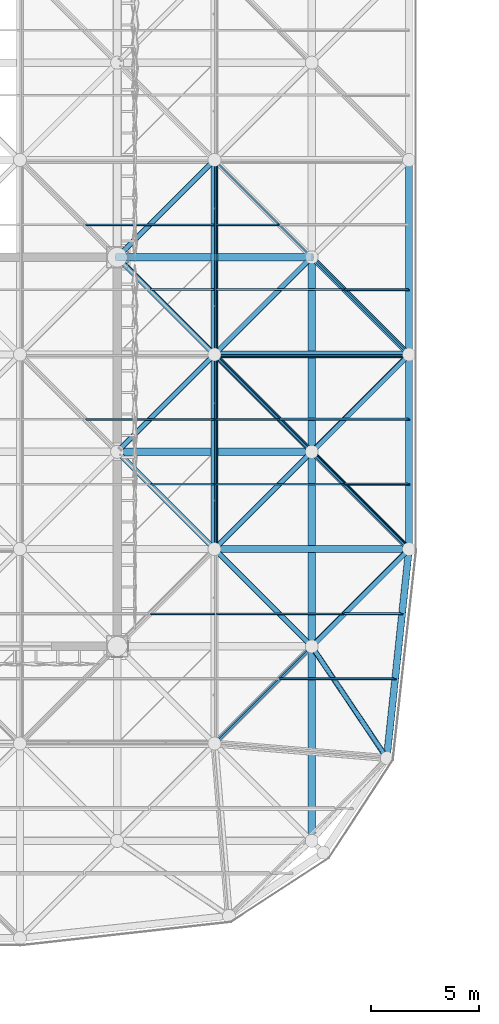
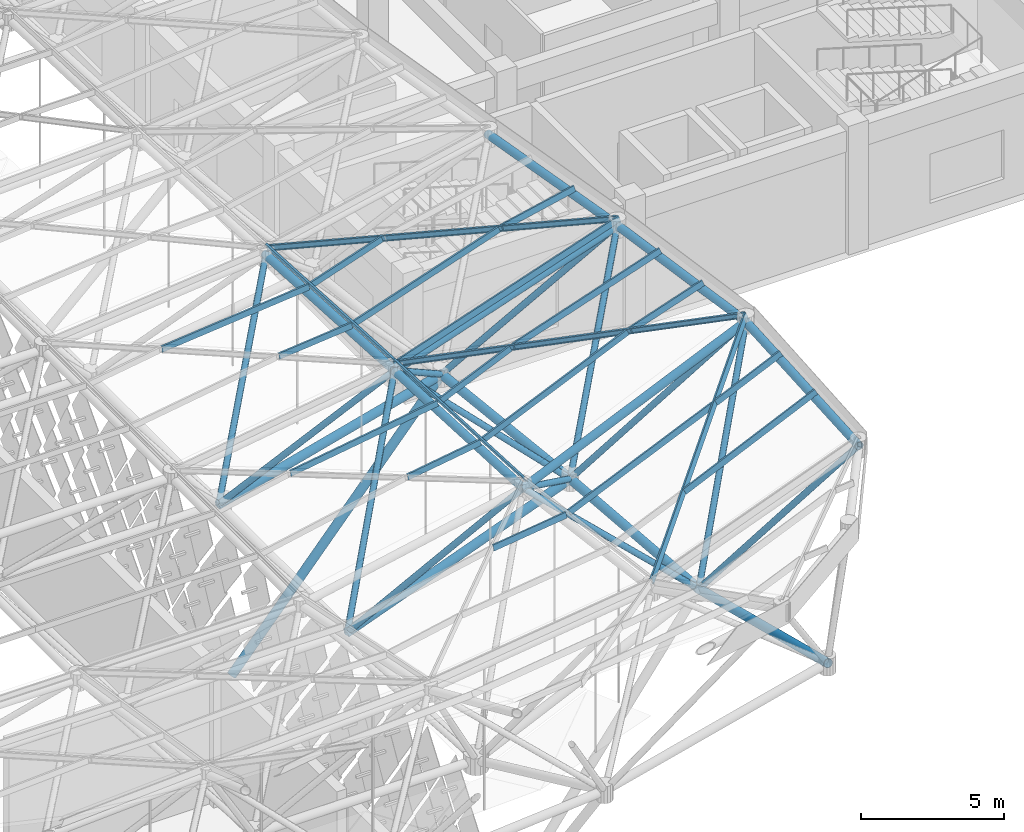
# One storey, part 196 of 437: 47 members.
"""IFC4 building model written with IfcOpenShell, lengths in metres."""

from ifc_helpers import new_model, si_unit, direction, frame, origin, origin_2d, place, context, subcontext, project, spatial, polyline, hollow_circle, outline, extrude, material, material_profile, profile_set, type_object, element, save


model = new_model("IFC4")

# Units and contexts
model_context = context("Model", 3, precision=1e-05, world=origin(), true_north=direction((0.0, 1.0)))
body_context = subcontext(model_context, "Body", "Model", "MODEL_VIEW")
ifc_project = project(units=[si_unit("LENGTHUNIT", "METRE"), si_unit("AREAUNIT", "SQUARE_METRE"), si_unit("VOLUMEUNIT", "CUBIC_METRE"), si_unit("PLANEANGLEUNIT", "RADIAN"), si_unit("MASSUNIT", "GRAM", prefix="KILO")], contexts=[model_context])

# Site, building, storey
site_placement = place(None, origin())
site = spatial("IfcSite", under=ifc_project, at=site_placement, CompositionType="ELEMENT")
building_placement = place(site_placement, origin())
building = spatial("IfcBuilding", under=site, at=building_placement, Name="Opaline Strait Convention Centre", CompositionType="ELEMENT")
storey_placement = place(building_placement, frame((0.0, 0.0, 11.5)))
storey = spatial("IfcBuildingStorey", under=building, at=storey_placement, Name="L02", CompositionType="ELEMENT", Elevation=11.5)

# Members
ifc_material = material(Name="Steel Q355B", Category="steel")
ifc_material_profile_1 = material_profile(ifc_material, hollow_circle(Radius=0.175537109375, WallThickness=0.01611328125, at=origin_2d()), Name="CHS 351x16")
ifc_profile_set_1 = profile_set([ifc_material_profile_1], Name="Steel Q355B")
member_type_1 = type_object("IfcMemberType", Name="Raking prop CHS 351x16", PredefinedType="BRACE", material=ifc_profile_set_1)
member_1_placement = place(storey_placement, frame((261.51611328125, 72.0, 5.0185546875), z_axis=(0.651001904669, 0.0, 0.759076096394), x_axis=(0.0, 1.0, 0.0)))
element("IfcMember", 1, at=member_1_placement, inside=storey, type_object=member_type_1, Name="Raking prop 261/72 E", PredefinedType="BRACE", context=body_context, shape_type="SweptSolid", body=[
    extrude(hollow_circle(Radius=0.175537109375, WallThickness=0.01611328125, at=origin_2d()), origin(), (0.0, 0.0, 1.0), 13.08203125),
])
ifc_material_profile_2 = material_profile(ifc_material, outline(polyline([(-0.03759765625, -0.125), (0.03759765625, -0.125), (0.03759765625, -0.10498046875), (0.034912109375, -0.10498046875), (0.034912109375, -0.12255859375), (-0.034912109375, -0.12255859375), (-0.034912109375, 0.12255859375), (0.034912109375, 0.12255859375), (0.034912109375, 0.10498046875), (0.03759765625, 0.10498046875), (0.03759765625, 0.125), (-0.03759765625, 0.125), (-0.03759765625, -0.125)])), Name="C 250x75x20x2.5")
ifc_profile_set_2 = profile_set([ifc_material_profile_2], Name="Steel Q355B")
member_type_2 = type_object("IfcMemberType", Name="Roof purlin C 250x75x20x2.5", PredefinedType="PURLIN", material=ifc_profile_set_2)
member_2_placement = place(storey_placement, frame((262.550048828125, 55.5, 20.102783203125), z_axis=(0.991632414904, 0.0, 0.12909358509), x_axis=(0.01666533867, 0.991632228384, -0.12801480429)))
element("IfcMember", 2, at=member_2_placement, inside=storey, type_object=member_type_2, Name="EXB-RF-P-19-1-1a", PredefinedType="PURLIN", context=body_context, shape_type="SweptSolid", body=[
    extrude(outline(polyline([(-0.03759765625, -0.125), (0.03759765625, -0.125), (0.03759765625, -0.10498046875), (0.034912109375, -0.10498046875), (0.034912109375, -0.12255859375), (-0.034912109375, -0.12255859375), (-0.034912109375, 0.12255859375), (0.034912109375, 0.12255859375), (0.034912109375, 0.10498046875), (0.03759765625, 0.10498046875), (0.03759765625, 0.125), (-0.03759765625, 0.125), (-0.03759765625, -0.125)])), origin(), (0.0, 0.0, 1.0), 2.974853515625),
])
member_3_placement = place(storey_placement, frame((265.5, 49.5, 21.278564453125), z_axis=(0.690740022732, 0.690740022732, 0.213907554783), x_axis=(-0.602521591585, 0.713355387204, -0.357899180246)))
element("IfcMember", 3, at=member_3_placement, inside=storey, type_object=member_type_2, Name="EXB-RF-F-20-1", PredefinedType="PURLIN", context=body_context, shape_type="SweptSolid", body=[
    extrude(outline(polyline([(-0.03759765625, -0.125), (0.03759765625, -0.125), (0.03759765625, -0.10498046875), (0.034912109375, -0.10498046875), (0.034912109375, -0.12255859375), (-0.034912109375, -0.12255859375), (-0.034912109375, 0.12255859375), (0.034912109375, 0.12255859375), (0.034912109375, 0.10498046875), (0.03759765625, 0.10498046875), (0.03759765625, 0.125), (-0.03759765625, 0.125), (-0.03759765625, -0.125)])), origin(), (0.0, 0.0, 1.0), 13.029541015625),
])
member_4_placement = place(storey_placement, frame((268.550048828125, 52.5, 22.230712890625), z_axis=(0.91042951865, 0.0, 0.413664225635), x_axis=(0.059241297029, 0.989692168796, -0.130383586967)))
element("IfcMember", 4, at=member_4_placement, inside=storey, type_object=member_type_2, Name="EXB-RF-P-20-1-0a", PredefinedType="PURLIN", context=body_context, shape_type="SweptSolid", body=[
    extrude(outline(polyline([(-0.03759765625, -0.125), (0.03759765625, -0.125), (0.03759765625, -0.10498046875), (0.034912109375, -0.10498046875), (0.034912109375, -0.12255859375), (-0.034912109375, -0.12255859375), (-0.034912109375, 0.12255859375), (0.034912109375, 0.12255859375), (0.034912109375, 0.10498046875), (0.03759765625, 0.10498046875), (0.03759765625, 0.125), (-0.03759765625, 0.125), (-0.03759765625, -0.125)])), origin(), (0.0, 0.0, 1.0), 5.834716796875),
])
member_5_placement = place(storey_placement, frame((271.550048828125, 55.5, 23.15966796875), z_axis=(0.910418545684, 0.0, 0.413688375078), x_axis=(0.059244755496, 0.989692168796, -0.130382015517)))
element("IfcMember", 5, at=member_5_placement, inside=storey, type_object=member_type_2, Name="EXB-RF-P-20-1-1a", PredefinedType="PURLIN", context=body_context, shape_type="SweptSolid", body=[
    extrude(outline(polyline([(-0.03759765625, -0.125), (0.03759765625, -0.125), (0.03759765625, -0.10498046875), (0.034912109375, -0.10498046875), (0.034912109375, -0.12255859375), (-0.034912109375, -0.12255859375), (-0.034912109375, 0.12255859375), (0.034912109375, 0.12255859375), (0.034912109375, 0.10498046875), (0.03759765625, 0.10498046875), (0.03759765625, 0.125), (-0.03759765625, 0.125), (-0.03759765625, -0.125)])), origin(), (0.0, 0.0, 1.0), 2.889892578125),
])
member_6_placement = place(storey_placement, frame((265.62255859375, 55.5, 20.55078125), z_axis=(0.915348391742, 0.0, 0.402662789111), x_axis=(0.051981759943, 0.991632228384, -0.118166916959)))
element("IfcMember", 6, at=member_6_placement, inside=storey, type_object=member_type_2, Name="EXB-RF-P-20-1-1b", PredefinedType="PURLIN", context=body_context, shape_type="SweptSolid", body=[
    extrude(outline(polyline([(-0.03759765625, -0.125), (0.03759765625, -0.125), (0.03759765625, -0.10498046875), (0.034912109375, -0.10498046875), (0.034912109375, -0.12255859375), (-0.034912109375, -0.12255859375), (-0.034912109375, 0.12255859375), (0.034912109375, 0.12255859375), (0.034912109375, 0.10498046875), (0.03759765625, 0.10498046875), (0.03759765625, 0.125), (-0.03759765625, 0.125), (-0.03759765625, -0.125)])), origin(), (0.0, 0.0, 1.0), 6.3662109375),
])
member_7_placement = place(storey_placement, frame((262.550048828125, 61.5, 19.491455078125), z_axis=(0.988086366005, 0.0, 0.153900400631), x_axis=(0.00745387809, 0.998826427329, -0.047856115284)))
element("IfcMember", 7, at=member_7_placement, inside=storey, type_object=member_type_2, Name="EXB-RF-P-19-2-0a", PredefinedType="PURLIN", context=body_context, shape_type="SweptSolid", body=[
    extrude(outline(polyline([(-0.03759765625, -0.125), (0.03759765625, -0.125), (0.03759765625, -0.10498046875), (0.034912109375, -0.10498046875), (0.034912109375, -0.12255859375), (-0.034912109375, -0.12255859375), (-0.034912109375, 0.12255859375), (0.034912109375, 0.12255859375), (0.034912109375, 0.10498046875), (0.03759765625, 0.10498046875), (0.03759765625, 0.125), (-0.03759765625, 0.125), (-0.03759765625, -0.125)])), origin(), (0.0, 0.0, 1.0), 2.985595703125),
])
member_8_placement = place(storey_placement, frame((259.550048828125, 64.5, 18.87890625), z_axis=(0.988092099011, 0.0, 0.153863588517), x_axis=(0.007452095164, 0.998826427329, -0.047856392952)))
element("IfcMember", 8, at=member_8_placement, inside=storey, type_object=member_type_2, Name="EXB-RF-P-19-2-1a", PredefinedType="PURLIN", context=body_context, shape_type="SweptSolid", body=[
    extrude(outline(polyline([(-0.03759765625, -0.125), (0.03759765625, -0.125), (0.03759765625, -0.10498046875), (0.034912109375, -0.10498046875), (0.034912109375, -0.12255859375), (-0.034912109375, -0.12255859375), (-0.034912109375, 0.12255859375), (0.034912109375, 0.12255859375), (0.034912109375, 0.10498046875), (0.03759765625, 0.10498046875), (0.03759765625, 0.125), (-0.03759765625, 0.125), (-0.03759765625, -0.125)])), origin(), (0.0, 0.0, 1.0), 6.021728515625),
])
member_9_placement = place(storey_placement, frame((274.5, 58.5, 24.06103515625), z_axis=(-0.66838117447, 0.66838117447, -0.326394257346), x_axis=(-0.672492106724, -0.730507071966, -0.118801448655)))
element("IfcMember", 9, at=member_9_placement, inside=storey, type_object=member_type_2, Name="EXB-RF-F-20-2", PredefinedType="PURLIN", context=body_context, shape_type="SweptSolid", body=[
    extrude(outline(polyline([(-0.03759765625, -0.125), (0.03759765625, -0.125), (0.03759765625, -0.10498046875), (0.034912109375, -0.10498046875), (0.034912109375, -0.12255859375), (-0.034912109375, -0.12255859375), (-0.034912109375, 0.12255859375), (0.034912109375, 0.12255859375), (0.034912109375, 0.10498046875), (0.03759765625, 0.10498046875), (0.03759765625, 0.125), (-0.03759765625, 0.125), (-0.03759765625, -0.125)])), origin(), (0.0, 0.0, 1.0), 13.46533203125),
])
member_10_placement = place(storey_placement, frame((265.449951171875, 67.443115234375, 19.657470703125), z_axis=(0.94707556838, 0.0, 0.321010697294), x_axis=(0.044974525914, 0.990136950451, -0.132688022709)))
element("IfcMember", 10, at=member_10_placement, inside=storey, type_object=member_type_2, Name="EXB-RF-E-20-2a", PredefinedType="PURLIN", context=body_context, shape_type="SweptSolid", body=[
    extrude(outline(polyline([(-0.03759765625, -0.125), (0.03759765625, -0.125), (0.03759765625, -0.10498046875), (0.034912109375, -0.10498046875), (0.034912109375, -0.12255859375), (-0.034912109375, -0.12255859375), (-0.034912109375, 0.12255859375), (0.034912109375, 0.12255859375), (0.034912109375, 0.10498046875), (0.03759765625, 0.10498046875), (0.03759765625, 0.125), (-0.03759765625, 0.125), (-0.03759765625, -0.125)])), origin(), (0.0, 0.0, 1.0), 9.608642578125),
])
member_11_placement = place(storey_placement, frame((271.550048828125, 61.5, 22.61279296875), z_axis=(0.947088093086, 0.0, 0.320973743374), x_axis=(0.047429088664, 0.989022311823, -0.139947662594)))
element("IfcMember", 11, at=member_11_placement, inside=storey, type_object=member_type_2, Name="EXB-RF-P-20-2-0a", PredefinedType="PURLIN", context=body_context, shape_type="SweptSolid", body=[
    extrude(outline(polyline([(-0.03759765625, -0.125), (0.03759765625, -0.125), (0.03759765625, -0.10498046875), (0.034912109375, -0.10498046875), (0.034912109375, -0.12255859375), (-0.034912109375, -0.12255859375), (-0.034912109375, 0.12255859375), (0.034912109375, 0.12255859375), (0.034912109375, 0.10498046875), (0.03759765625, 0.10498046875), (0.03759765625, 0.125), (-0.03759765625, 0.125), (-0.03759765625, -0.125)])), origin(), (0.0, 0.0, 1.0), 3.11474609375),
])
member_12_placement = place(storey_placement, frame((268.550048828125, 64.5, 21.147705078125), z_axis=(0.947070084803, 0.0, 0.321026874997), x_axis=(0.047436939725, 0.989022311823, -0.139945001577)))
element("IfcMember", 12, at=member_12_placement, inside=storey, type_object=member_type_2, Name="EXB-RF-P-20-2-1a", PredefinedType="PURLIN", context=body_context, shape_type="SweptSolid", body=[
    extrude(outline(polyline([(-0.03759765625, -0.125), (0.03759765625, -0.125), (0.03759765625, -0.10498046875), (0.034912109375, -0.10498046875), (0.034912109375, -0.12255859375), (-0.034912109375, -0.12255859375), (-0.034912109375, 0.12255859375), (0.034912109375, 0.12255859375), (0.034912109375, 0.10498046875), (0.03759765625, 0.10498046875), (0.03759765625, 0.125), (-0.03759765625, 0.125), (-0.03759765625, -0.125)])), origin(), (0.0, 0.0, 1.0), 6.282470703125),
])
member_13_placement = place(storey_placement, frame((265.58837890625, 67.550048828125, 19.70654296875), z_axis=(0.0, -0.99882696864, 0.048421965239), x_axis=(0.915532762336, 0.019477416429, 0.401771566115)))
element("IfcMember", 13, at=member_13_placement, inside=storey, type_object=member_type_2, Name="EXB-RF-E-20-2b", PredefinedType="PURLIN", context=body_context, shape_type="SweptSolid", body=[
    extrude(outline(polyline([(-0.03759765625, -0.125), (0.03759765625, -0.125), (0.03759765625, -0.10498046875), (0.034912109375, -0.10498046875), (0.034912109375, -0.12255859375), (-0.034912109375, -0.12255859375), (-0.034912109375, 0.12255859375), (0.034912109375, 0.12255859375), (0.034912109375, 0.10498046875), (0.03759765625, 0.10498046875), (0.03759765625, 0.125), (-0.03759765625, 0.125), (-0.03759765625, -0.125)])), origin(), (0.0, 0.0, 1.0), 9.11083984375),
])
member_14_placement = place(storey_placement, frame((265.622802734375, 61.5, 20.014892578125), z_axis=(0.915356308677, 0.0, 0.402644791554), x_axis=(0.01950134748, 0.998826427329, -0.044333570973)))
element("IfcMember", 14, at=member_14_placement, inside=storey, type_object=member_type_2, Name="EXB-RF-P-20-2-0b", PredefinedType="PURLIN", context=body_context, shape_type="SweptSolid", body=[
    extrude(outline(polyline([(-0.03759765625, -0.125), (0.03759765625, -0.125), (0.03759765625, -0.10498046875), (0.034912109375, -0.10498046875), (0.034912109375, -0.12255859375), (-0.034912109375, -0.12255859375), (-0.034912109375, 0.12255859375), (0.034912109375, 0.12255859375), (0.034912109375, 0.10498046875), (0.03759765625, 0.10498046875), (0.03759765625, 0.125), (-0.03759765625, 0.125), (-0.03759765625, -0.125)])), origin(), (0.0, 0.0, 1.0), 6.365966796875),
])
member_15_placement = place(storey_placement, frame((265.622802734375, 64.5, 19.869384765625), z_axis=(0.9153499956, 0.0, 0.402659143142), x_axis=(0.019502042572, 0.998826427329, -0.044333265211)))
element("IfcMember", 15, at=member_15_placement, inside=storey, type_object=member_type_2, Name="EXB-RF-P-20-2-1b", PredefinedType="PURLIN", context=body_context, shape_type="SweptSolid", body=[
    extrude(outline(polyline([(-0.03759765625, -0.125), (0.03759765625, -0.125), (0.03759765625, -0.10498046875), (0.034912109375, -0.10498046875), (0.034912109375, -0.12255859375), (-0.034912109375, -0.12255859375), (-0.034912109375, 0.12255859375), (0.034912109375, 0.12255859375), (0.034912109375, 0.10498046875), (0.03759765625, 0.10498046875), (0.03759765625, 0.125), (-0.03759765625, 0.125), (-0.03759765625, -0.125)])), origin(), (0.0, 0.0, 1.0), 3.088623046875),
])
member_16_placement = place(storey_placement, frame((262.550048828125, 70.5, 19.197021484375), z_axis=(0.995153115332, 0.0, 0.098337566805), x_axis=(0.005582570405, 0.99838731392, -0.056494303355)))
element("IfcMember", 16, at=member_16_placement, inside=storey, type_object=member_type_2, Name="EXB-RF-P-19-3-0a", PredefinedType="PURLIN", context=body_context, shape_type="SweptSolid", body=[
    extrude(outline(polyline([(-0.03759765625, -0.125), (0.03759765625, -0.125), (0.03759765625, -0.10498046875), (0.034912109375, -0.10498046875), (0.034912109375, -0.12255859375), (-0.034912109375, -0.12255859375), (-0.034912109375, 0.12255859375), (0.034912109375, 0.12255859375), (0.034912109375, 0.10498046875), (0.03759765625, 0.10498046875), (0.03759765625, 0.125), (-0.03759765625, 0.125), (-0.03759765625, -0.125)])), origin(), (0.0, 0.0, 1.0), 2.96435546875),
])
member_17_placement = place(storey_placement, frame((259.550048828125, 73.5, 18.729736328125), z_axis=(0.995150147401, 0.0, 0.098367596943), x_axis=(0.0055842752, 0.99838731392, -0.056494134867)))
element("IfcMember", 17, at=member_17_placement, inside=storey, type_object=member_type_2, Name="EXB-RF-P-19-3-1a", PredefinedType="PURLIN", context=body_context, shape_type="SweptSolid", body=[
    extrude(outline(polyline([(-0.03759765625, -0.125), (0.03759765625, -0.125), (0.03759765625, -0.10498046875), (0.034912109375, -0.10498046875), (0.034912109375, -0.12255859375), (-0.034912109375, -0.12255859375), (-0.034912109375, 0.12255859375), (0.034912109375, 0.12255859375), (0.034912109375, 0.10498046875), (0.03759765625, 0.10498046875), (0.03759765625, 0.125), (-0.03759765625, 0.125), (-0.03759765625, -0.125)])), origin(), (0.0, 0.0, 1.0), 5.97900390625),
])
member_18_placement = place(storey_placement, frame((274.5, 67.5, 22.71142578125), z_axis=(-0.680940085926, 0.680940085926, -0.26952031233), x_axis=(-0.701135867447, -0.712454070999, -0.028595316)))
element("IfcMember", 18, at=member_18_placement, inside=storey, type_object=member_type_2, Name="EXB-RF-F-20-3", PredefinedType="PURLIN", context=body_context, shape_type="SweptSolid", body=[
    extrude(outline(polyline([(-0.03759765625, -0.125), (0.03759765625, -0.125), (0.03759765625, -0.10498046875), (0.034912109375, -0.10498046875), (0.034912109375, -0.12255859375), (-0.034912109375, -0.12255859375), (-0.034912109375, 0.12255859375), (0.034912109375, 0.12255859375), (0.034912109375, 0.10498046875), (0.03759765625, 0.10498046875), (0.03759765625, 0.125), (-0.03759765625, 0.125), (-0.03759765625, -0.125)])), origin(), (0.0, 0.0, 1.0), 13.217041015625),
])
member_19_placement = place(storey_placement, frame((271.550048828125, 70.5, 21.5361328125), z_axis=(0.976699731106, 0.0, 0.214610426722), x_axis=(0.037218754753, 0.984847127184, -0.169383884626)))
element("IfcMember", 19, at=member_19_placement, inside=storey, type_object=member_type_2, Name="EXB-RF-P-20-3-0a", PredefinedType="PURLIN", context=body_context, shape_type="SweptSolid", body=[
    extrude(outline(polyline([(-0.03759765625, -0.125), (0.03759765625, -0.125), (0.03759765625, -0.10498046875), (0.034912109375, -0.10498046875), (0.034912109375, -0.12255859375), (-0.034912109375, -0.12255859375), (-0.034912109375, 0.12255859375), (0.034912109375, 0.12255859375), (0.034912109375, 0.10498046875), (0.03759765625, 0.10498046875), (0.03759765625, 0.125), (-0.03759765625, 0.125), (-0.03759765625, -0.125)])), origin(), (0.0, 0.0, 1.0), 3.020263671875),
])
member_20_placement = place(storey_placement, frame((265.578369140625, 76.550048828125, 19.177490234375), z_axis=(0.0, -0.998386467892, 0.056784335245), x_axis=(0.947231539522, 0.018202228232, 0.320032950527)))
element("IfcMember", 20, at=member_20_placement, inside=storey, type_object=member_type_2, Name="EXB-RF-E-20-3b", PredefinedType="PURLIN", context=body_context, shape_type="SweptSolid", body=[
    extrude(outline(polyline([(-0.03759765625, -0.125), (0.03759765625, -0.125), (0.03759765625, -0.10498046875), (0.034912109375, -0.10498046875), (0.034912109375, -0.12255859375), (-0.034912109375, -0.12255859375), (-0.034912109375, 0.12255859375), (0.034912109375, 0.12255859375), (0.034912109375, 0.10498046875), (0.03759765625, 0.10498046875), (0.03759765625, 0.125), (-0.03759765625, 0.125), (-0.03759765625, -0.125)])), origin(), (0.0, 0.0, 1.0), 9.11474609375),
])
member_21_placement = place(storey_placement, frame((265.613037109375, 70.5, 19.533203125), z_axis=(0.947082821832, 0.0, 0.320989296692), x_axis=(0.018222388517, 0.99838731392, -0.053765378829)))
element("IfcMember", 21, at=member_21_placement, inside=storey, type_object=member_type_2, Name="EXB-RF-P-20-3-0b", PredefinedType="PURLIN", context=body_context, shape_type="SweptSolid", body=[
    extrude(outline(polyline([(-0.03759765625, -0.125), (0.03759765625, -0.125), (0.03759765625, -0.10498046875), (0.034912109375, -0.10498046875), (0.034912109375, -0.12255859375), (-0.034912109375, -0.12255859375), (-0.034912109375, 0.12255859375), (0.034912109375, 0.12255859375), (0.034912109375, 0.10498046875), (0.03759765625, 0.10498046875), (0.03759765625, 0.125), (-0.03759765625, 0.125), (-0.03759765625, -0.125)])), origin(), (0.0, 0.0, 1.0), 6.1630859375),
])
member_22_placement = place(storey_placement, frame((265.613037109375, 73.5, 19.362548828125), z_axis=(0.947065459404, 0.0, 0.321040520189), x_axis=(0.018225296447, 0.99838731392, -0.053764393174)))
element("IfcMember", 22, at=member_22_placement, inside=storey, type_object=member_type_2, Name="EXB-RF-P-20-3-1b", PredefinedType="PURLIN", context=body_context, shape_type="SweptSolid", body=[
    extrude(outline(polyline([(-0.03759765625, -0.125), (0.03759765625, -0.125), (0.03759765625, -0.10498046875), (0.034912109375, -0.10498046875), (0.034912109375, -0.12255859375), (-0.034912109375, -0.12255859375), (-0.034912109375, 0.12255859375), (0.034912109375, 0.12255859375), (0.034912109375, 0.10498046875), (0.03759765625, 0.10498046875), (0.03759765625, 0.125), (-0.03759765625, 0.125), (-0.03759765625, -0.125)])), origin(), (0.0, 0.0, 1.0), 2.995361328125),
])
ifc_material_profile_3 = material_profile(ifc_material, hollow_circle(Radius=0.175537109375, WallThickness=0.01611328125, at=origin_2d()), Name="CHS 351x16")
ifc_profile_set_3 = profile_set([ifc_material_profile_3], Name="Steel Q355B")
member_type_3 = type_object("IfcMemberType", Name="Space frame bottom chord CHS 351x16", PredefinedType="CHORD", material=ifc_profile_set_3)
member_23_placement = place(storey_placement, frame((260.953125, 63.0, 12.482421875), z_axis=(0.935426145713, 0.0, 0.353522171746), x_axis=(0.0, 1.0, 0.0)))
element("IfcMember", 23, at=member_23_placement, inside=storey, type_object=member_type_3, Name="EXB-RF-BX-19-2", PredefinedType="CHORD", context=body_context, shape_type="SweptSolid", body=[
    extrude(hollow_circle(Radius=0.175537109375, WallThickness=0.01611328125, at=origin_2d()), origin(), (0.0, 0.0, 1.0), 9.721435546875),
])
member_24_placement = place(storey_placement, frame((260.95166015625, 72.0, 12.487060546875), z_axis=(0.965943886193, 0.0, 0.258751635215), x_axis=(0.0, 1.0, 0.0)))
element("IfcMember", 24, at=member_24_placement, inside=storey, type_object=member_type_3, Name="EXB-RF-BX-19-3", PredefinedType="CHORD", context=body_context, shape_type="SweptSolid", body=[
    extrude(hollow_circle(Radius=0.175537109375, WallThickness=0.01611328125, at=origin_2d()), origin(), (0.0, 0.0, 1.0), 9.41748046875),
])
member_25_placement = place(storey_placement, frame((270.0, 44.95166015625, 18.96435546875), z_axis=(0.0, 0.968974979118, -0.247158835253), x_axis=(-1.0, 0.0, 0.0)))
element("IfcMember", 25, at=member_25_placement, inside=storey, type_object=member_type_3, Name="EXB-RF-BY-20-0", PredefinedType="CHORD", context=body_context, shape_type="SweptSolid", body=[
    extrude(hollow_circle(Radius=0.175537109375, WallThickness=0.01611328125, at=origin_2d()), origin(), (0.0, 0.0, 1.0), 9.387939453125),
])
member_26_placement = place(storey_placement, frame((270.0, 53.9501953125, 16.66064453125), z_axis=(0.0, 0.996499137169, -0.083603047916), x_axis=(-1.0, 0.0, 0.0)))
element("IfcMember", 26, at=member_26_placement, inside=storey, type_object=member_type_3, Name="EXB-RF-BY-20-1", PredefinedType="CHORD", context=body_context, shape_type="SweptSolid", body=[
    extrude(hollow_circle(Radius=0.175537109375, WallThickness=0.01611328125, at=origin_2d()), origin(), (0.0, 0.0, 1.0), 9.131591796875),
])
member_27_placement = place(storey_placement, frame((270.0, 62.9501953125, 15.906982421875), z_axis=(0.0, 0.993995425291, -0.109421636348), x_axis=(-1.0, 0.0, 0.0)))
element("IfcMember", 27, at=member_27_placement, inside=storey, type_object=member_type_3, Name="EXB-RF-BY-20-2", PredefinedType="CHORD", context=body_context, shape_type="SweptSolid", body=[
    extrude(hollow_circle(Radius=0.175537109375, WallThickness=0.01611328125, at=origin_2d()), origin(), (0.0, 0.0, 1.0), 9.154541015625),
])
ifc_material_profile_4 = material_profile(ifc_material, hollow_circle(Radius=0.16259765625, WallThickness=0.013916015625, at=origin_2d()), Name="CHS 325x14")
ifc_profile_set_4 = profile_set([ifc_material_profile_4], Name="Steel Q355B")
member_type_4 = type_object("IfcMemberType", Name="Space frame top chord CHS 325x14", PredefinedType="CHORD", material=ifc_profile_set_4)
member_28_placement = place(storey_placement, frame((274.5, 58.450439453125, 23.775634765625), z_axis=(0.0, 0.989023771129, -0.147756489339), x_axis=(-1.0, 0.0, 0.0)))
element("IfcMember", 28, at=member_28_placement, inside=storey, type_object=member_type_4, Name="EXB-RF-TY-21-2", PredefinedType="CHORD", context=body_context, shape_type="SweptSolid", body=[
    extrude(hollow_circle(Radius=0.16259765625, WallThickness=0.013916015625, at=origin_2d()), origin(), (0.0, 0.0, 1.0), 9.2001953125),
])
ifc_material_profile_5 = material_profile(ifc_material, hollow_circle(Radius=0.16259765625, WallThickness=0.02001953125, at=origin_2d()), Name="CHS 325x20")
ifc_profile_set_5 = profile_set([ifc_material_profile_5], Name="Steel Q355B")
member_type_5 = type_object("IfcMemberType", Name="Space frame top chord CHS 325x20", PredefinedType="CHORD", material=ifc_profile_set_5)
member_29_placement = place(storey_placement, frame((265.454345703125, 58.5, 19.789306640625), z_axis=(0.915357797375, 0.0, 0.402641407192), x_axis=(0.0, 1.0, 0.0)))
element("IfcMember", 29, at=member_29_placement, inside=storey, type_object=member_type_5, Name="EXB-RF-TX-20-2", PredefinedType="CHORD", context=body_context, shape_type="SweptSolid", body=[
    extrude(hollow_circle(Radius=0.16259765625, WallThickness=0.02001953125, at=origin_2d()), origin(), (0.0, 0.0, 1.0), 9.931884765625),
])
member_30_placement = place(storey_placement, frame((265.45263671875, 67.5, 19.35693359375), z_axis=(0.947072036929, 0.0, 0.321021115921), x_axis=(0.0, 1.0, 0.0)))
element("IfcMember", 30, at=member_30_placement, inside=storey, type_object=member_type_5, Name="EXB-RF-TX-20-3", PredefinedType="CHORD", context=body_context, shape_type="SweptSolid", body=[
    extrude(hollow_circle(Radius=0.16259765625, WallThickness=0.02001953125, at=origin_2d()), origin(), (0.0, 0.0, 1.0), 9.60302734375),
])
member_31_placement = place(storey_placement, frame((265.5, 58.449951171875, 19.811767578125), z_axis=(0.0, 0.99882696864, -0.048421965239), x_axis=(-1.0, 0.0, 0.0)))
element("IfcMember", 31, at=member_31_placement, inside=storey, type_object=member_type_5, Name="EXB-RF-TY-20-2", PredefinedType="CHORD", context=body_context, shape_type="SweptSolid", body=[
    extrude(hollow_circle(Radius=0.16259765625, WallThickness=0.02001953125, at=origin_2d()), origin(), (0.0, 0.0, 1.0), 9.11083984375),
])
member_32_placement = place(storey_placement, frame((265.5, 67.4501953125, 19.375732421875), z_axis=(0.0, 0.998387813469, -0.056760672267), x_axis=(-1.0, 0.0, 0.0)))
element("IfcMember", 32, at=member_32_placement, inside=storey, type_object=member_type_5, Name="EXB-RF-TY-20-3", PredefinedType="CHORD", context=body_context, shape_type="SweptSolid", body=[
    extrude(hollow_circle(Radius=0.16259765625, WallThickness=0.02001953125, at=origin_2d()), origin(), (0.0, 0.0, 1.0), 9.1142578125),
])
member_33_placement = place(storey_placement, frame((273.467041015625, 48.7841796875, 24.704833984375), z_axis=(0.105249170228, 0.989856938619, -0.095424594498), x_axis=(-0.994394698376, 0.105731659596, 0.0)))
element("IfcMember", 33, at=member_33_placement, inside=storey, type_object=member_type_5, Name="EXB-RF-TY-21-1", PredefinedType="CHORD", context=body_context, shape_type="SweptSolid", body=[
    extrude(hollow_circle(Radius=0.16259765625, WallThickness=0.02001953125, at=origin_2d()), origin(), (0.0, 0.0, 1.0), 9.865478515625),
])
member_34_placement = place(storey_placement, frame((274.5, 67.45068359375, 22.43212890625), z_axis=(0.0, 0.984849995483, -0.17340843808), x_axis=(-1.0, 0.0, 0.0)))
element("IfcMember", 34, at=member_34_placement, inside=storey, type_object=member_type_5, Name="EXB-RF-TY-21-3", PredefinedType="CHORD", context=body_context, shape_type="SweptSolid", body=[
    extrude(hollow_circle(Radius=0.16259765625, WallThickness=0.02001953125, at=origin_2d()), origin(), (0.0, 0.0, 1.0), 9.238525390625),
])
ifc_material_profile_6 = material_profile(ifc_material, hollow_circle(Radius=0.12255859375, WallThickness=0.011962890625, at=origin_2d()), Name="CHS 245x12")
ifc_profile_set_6 = profile_set([ifc_material_profile_6], Name="Steel Q355B")
member_type_6 = type_object("IfcMemberType", Name="Space frame web CHS 245x12", PredefinedType="BRACE", material=ifc_profile_set_6)
member_35_placement = place(storey_placement, frame((265.523193359375, 58.476806640625, 19.84716796875), z_axis=(-0.464318393321, 0.464318393321, -0.754199482396), x_axis=(-0.707106781187, -0.707106781187, 0.0)))
element("IfcMember", 35, at=member_35_placement, inside=storey, type_object=member_type_6, Name="EXB-RF-W-19-2-10", PredefinedType="BRACE", context=body_context, shape_type="SweptSolid", body=[
    extrude(hollow_circle(Radius=0.12255859375, WallThickness=0.011962890625, at=origin_2d()), origin(), (0.0, 0.0, 1.0), 9.79150390625),
])
for number, where, z_axis, x_axis, name in (
    (36, (265.52392578125, 67.52392578125, 19.40966796875), (-0.480409370333, -0.480409370333, -0.733766770706), (0.707106781187, -0.707106781187, 0.0), "EXB-RF-W-19-2-11"),
    (37, (265.52392578125, 67.47607421875, 19.40966796875), (-0.480409370333, 0.480409370333, -0.733766770706), (-0.707106781187, -0.707106781187, 0.0), "EXB-RF-W-19-3-10"),
):
    element("IfcMember", number, at=place(storey_placement, frame(where, z_axis=z_axis, x_axis=x_axis)), inside=storey, type_object=member_type_6, Name=name, PredefinedType="BRACE", context=body_context, shape_type="SweptSolid", body=[
        extrude(hollow_circle(Radius=0.12255859375, WallThickness=0.011962890625, at=origin_2d()), origin(), (0.0, 0.0, 1.0), 9.466552734375),
    ])
member_36_placement = place(storey_placement, frame((265.52490234375, 76.52490234375, 18.896484375), z_axis=(-0.50009756062, -0.50009756062, -0.706968782708), x_axis=(0.707106781187, -0.707106781187, 0.0)))
element("IfcMember", 38, at=member_36_placement, inside=storey, type_object=member_type_6, Name="EXB-RF-W-19-3-11", PredefinedType="BRACE", context=body_context, shape_type="SweptSolid", body=[
    extrude(hollow_circle(Radius=0.12255859375, WallThickness=0.011962890625, at=origin_2d()), origin(), (0.0, 0.0, 1.0), 9.097900390625),
])
member_37_placement = place(storey_placement, frame((265.46826171875, 58.53173828125, 19.83154296875), z_axis=(0.63361366965, -0.63361366965, -0.443922780747), x_axis=(0.707106781187, 0.707106781187, 0.0)))
element("IfcMember", 39, at=member_37_placement, inside=storey, type_object=member_type_6, Name="EXB-RF-W-20-1-01", PredefinedType="BRACE", context=body_context, shape_type="SweptSolid", body=[
    extrude(hollow_circle(Radius=0.12255859375, WallThickness=0.011962890625, at=origin_2d()), origin(), (0.0, 0.0, 1.0), 7.202392578125),
])
member_38_placement = place(storey_placement, frame((273.489501953125, 48.808349609375, 24.739501953125), z_axis=(-0.341413165258, 0.507948056004, -0.790838683292), x_axis=(-0.829947049924, -0.557842176895, 0.0)))
element("IfcMember", 40, at=member_38_placement, inside=storey, type_object=member_type_6, Name="EXB-RF-W-20-1-10", PredefinedType="BRACE", context=body_context, shape_type="SweptSolid", body=[
    extrude(hollow_circle(Radius=0.12255859375, WallThickness=0.011962890625, at=origin_2d()), origin(), (0.0, 0.0, 1.0), 10.270751953125),
])
member_39_placement = place(storey_placement, frame((274.523681640625, 58.523681640625, 23.805419921875), z_axis=(-0.471540529524, -0.471540529524, -0.745183908866), x_axis=(0.707106781187, -0.707106781187, 0.0)))
element("IfcMember", 41, at=member_39_placement, inside=storey, type_object=member_type_6, Name="EXB-RF-W-20-1-11", PredefinedType="BRACE", context=body_context, shape_type="SweptSolid", body=[
    extrude(hollow_circle(Radius=0.12255859375, WallThickness=0.011962890625, at=origin_2d()), origin(), (0.0, 0.0, 1.0), 9.6435546875),
])
member_40_placement = place(storey_placement, frame((265.469970703125, 58.469970703125, 19.83544921875), z_axis=(0.60256121026, 0.60256121026, -0.523297215528), x_axis=(-0.707106781187, 0.707106781187, 0.0)))
element("IfcMember", 42, at=member_40_placement, inside=storey, type_object=member_type_6, Name="EXB-RF-W-20-2-00", PredefinedType="BRACE", context=body_context, shape_type="SweptSolid", body=[
    extrude(hollow_circle(Radius=0.12255859375, WallThickness=0.011962890625, at=origin_2d()), origin(), (0.0, 0.0, 1.0), 7.56787109375),
])
member_41_placement = place(storey_placement, frame((265.468994140625, 67.531005859375, 19.39697265625), z_axis=(0.620747928785, -0.620747928785, -0.478898755291), x_axis=(0.707106781187, 0.707106781187, 0.0)))
element("IfcMember", 43, at=member_41_placement, inside=storey, type_object=member_type_6, Name="EXB-RF-W-20-2-01", PredefinedType="BRACE", context=body_context, shape_type="SweptSolid", body=[
    extrude(hollow_circle(Radius=0.12255859375, WallThickness=0.011962890625, at=origin_2d()), origin(), (0.0, 0.0, 1.0), 7.34912109375),
])
member_42_placement = place(storey_placement, frame((274.522216796875, 58.477783203125, 23.80712890625), z_axis=(-0.444721060586, 0.444721060586, -0.777461482353), x_axis=(-0.707106781187, -0.707106781187, 0.0)))
element("IfcMember", 44, at=member_42_placement, inside=storey, type_object=member_type_6, Name="EXB-RF-W-20-2-10", PredefinedType="BRACE", context=body_context, shape_type="SweptSolid", body=[
    extrude(hollow_circle(Radius=0.12255859375, WallThickness=0.011962890625, at=origin_2d()), origin(), (0.0, 0.0, 1.0), 10.218505859375),
])
member_43_placement = place(storey_placement, frame((274.524658203125, 67.524658203125, 22.459228515625), z_axis=(-0.493829497226, -0.493829497226, -0.715726802167), x_axis=(0.707106781187, -0.707106781187, 0.0)))
element("IfcMember", 45, at=member_43_placement, inside=storey, type_object=member_type_6, Name="EXB-RF-W-20-2-11", PredefinedType="BRACE", context=body_context, shape_type="SweptSolid", body=[
    extrude(hollow_circle(Radius=0.12255859375, WallThickness=0.011962890625, at=origin_2d()), origin(), (0.0, 0.0, 1.0), 9.21240234375),
])
member_44_placement = place(storey_placement, frame((265.470947265625, 67.470947265625, 19.401611328125), z_axis=(0.578978904854, 0.578978904854, -0.574079136939), x_axis=(-0.707106781187, 0.707106781187, 0.0)))
element("IfcMember", 46, at=member_44_placement, inside=storey, type_object=member_type_6, Name="EXB-RF-W-20-3-00", PredefinedType="BRACE", context=body_context, shape_type="SweptSolid", body=[
    extrude(hollow_circle(Radius=0.12255859375, WallThickness=0.011962890625, at=origin_2d()), origin(), (0.0, 0.0, 1.0), 7.87255859375),
])
member_45_placement = place(storey_placement, frame((274.52294921875, 67.47705078125, 22.461669921875), z_axis=(-0.457053151729, 0.457053151729, -0.763023481283), x_axis=(-0.707106781187, -0.707106781187, 0.0)))
element("IfcMember", 47, at=member_45_placement, inside=storey, type_object=member_type_6, Name="EXB-RF-W-20-3-10", PredefinedType="BRACE", context=body_context, shape_type="SweptSolid", body=[
    extrude(hollow_circle(Radius=0.12255859375, WallThickness=0.011962890625, at=origin_2d()), origin(), (0.0, 0.0, 1.0), 9.946044921875),
])

save(model, "model.ifc")
